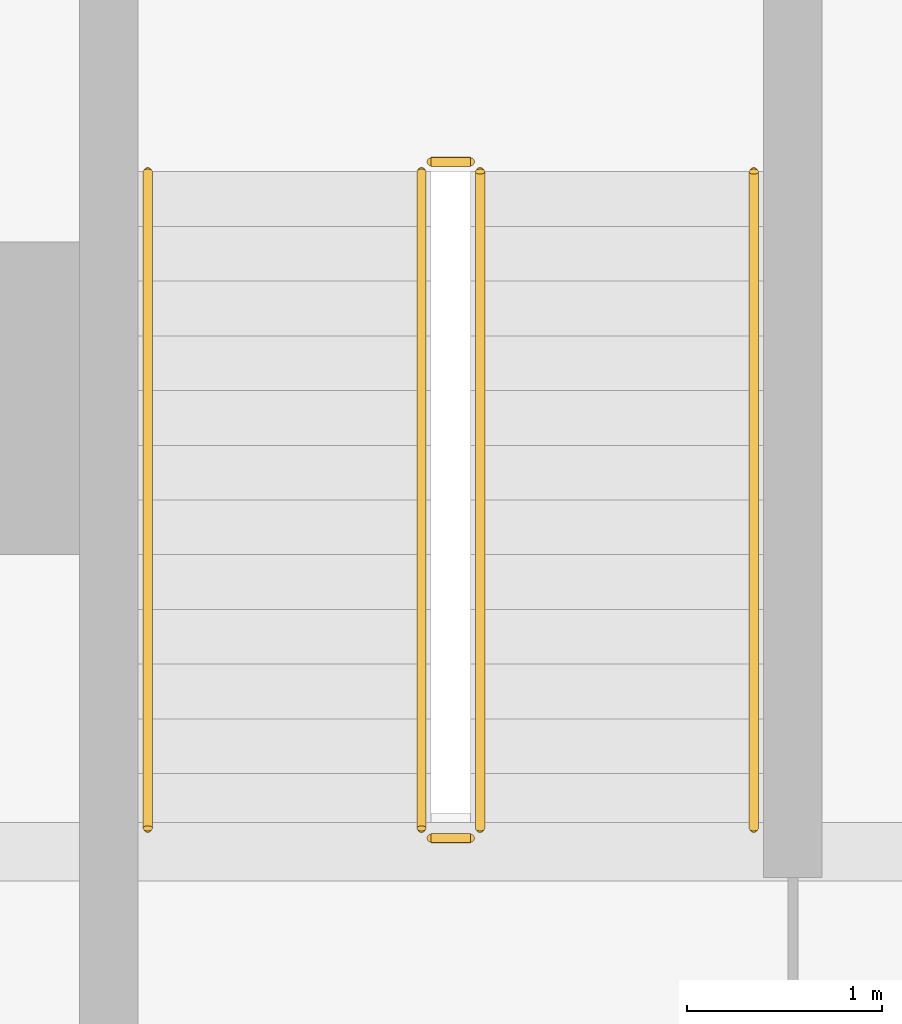
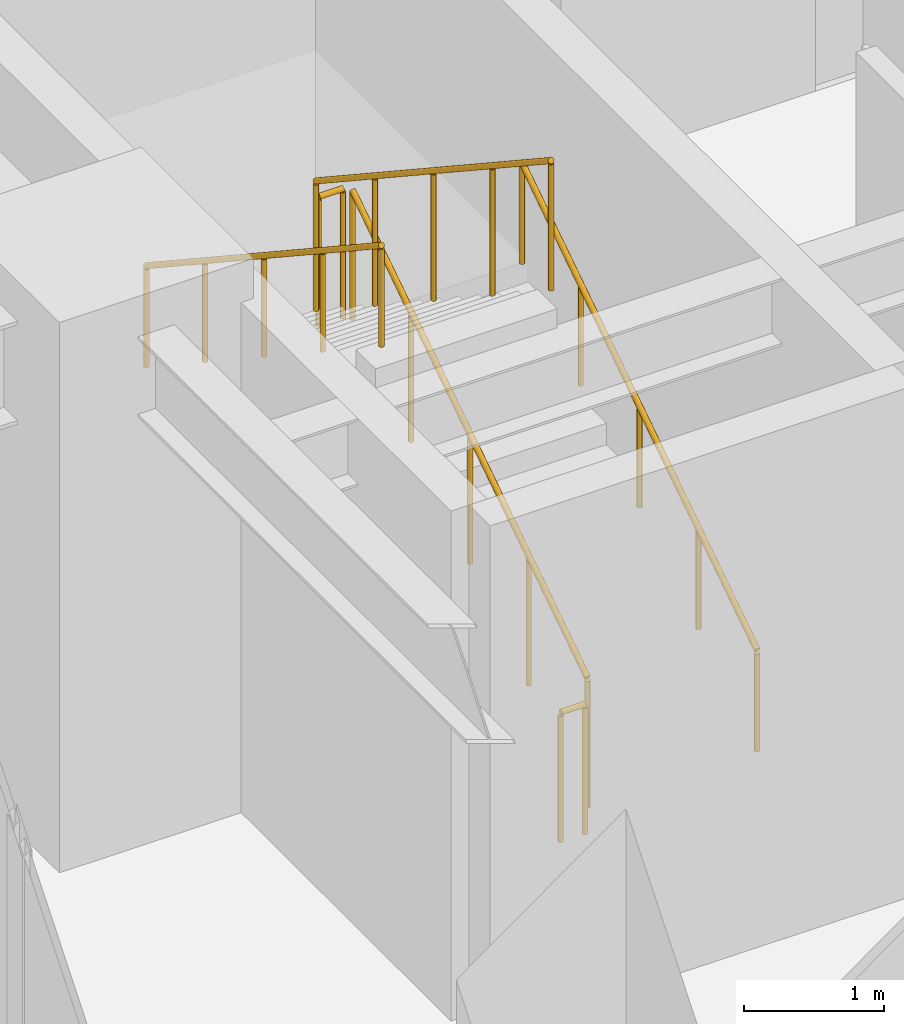
# One storey, part 37 of 39: 6 railings.
"""IFC4 building model written with IfcOpenShell, lengths in metres."""

from ifc_helpers import new_model, si_unit, direction, frame, origin, origin_2d, place, context, subcontext, project, spatial, circle, extrude, source, transform, mapped, material, type_object, type_shapes, element, save


model = new_model("IFC4")

# Units and contexts
model_context = context("Model", 3, precision=1e-05, world=origin(), true_north=direction((0.0, 1.0)))
body_context = subcontext(model_context, "Body", "Model", "MODEL_VIEW")
ifc_project = project(units=[si_unit("LENGTHUNIT", "METRE"), si_unit("AREAUNIT", "SQUARE_METRE"), si_unit("VOLUMEUNIT", "CUBIC_METRE"), si_unit("PLANEANGLEUNIT", "RADIAN"), si_unit("MASSUNIT", "GRAM", prefix="KILO")], contexts=[model_context])

# Site, building, storey
site_placement = place(None, origin())
site = spatial("IfcSite", under=ifc_project, at=site_placement, CompositionType="ELEMENT")
building_placement = place(site_placement, origin())
building = spatial("IfcBuilding", under=site, at=building_placement, Name="Haelvirn Gate Laboratories", CompositionType="ELEMENT")
storey_placement = place(building_placement, frame((0.0, 0.0, 15.0)))
storey = spatial("IfcBuildingStorey", under=building, at=storey_placement, Name="L04", CompositionType="ELEMENT", Elevation=15.0)

# Railings
ifc_material_1 = material(Name="Galvanised steel SM355 & stainless top rail", Category="steel")
railing_type_1 = type_object("IfcRailingType", Name="RL-GUARD-1150", PredefinedType="GUARDRAIL", material=ifc_material_1)
shared_shape_1 = source(origin(), body_context, "Body", "SweptSolid", [
    extrude(circle(Radius=0.02392578125, at=origin_2d()), frame((0.0, 0.0, 1.1259765625), z_axis=(-1.0, 0.0, 0.0), x_axis=(0.0, -1.0, 0.0)), (0.0, 0.0, 1.0), 0.199951171875),
    extrude(circle(Radius=0.02099609375, at=origin_2d()), origin(), (0.0, 0.0, 1.0), 1.101806640625),
    extrude(circle(Radius=0.02099609375, at=origin_2d()), frame((-0.199951171875, 0.0, 0.0)), (0.0, 0.0, 1.0), 1.101806640625),
])
for number, where, name in (
    (1, (55.300048828125, 8.2099609375, 2.39990234375), "L04 ST4 stair guard 2"),
    (2, (55.300048828125, 4.75, 0.0), "L04 ST4 stair guard 4"),
):
    element("IfcRailing", number, at=place(storey_placement, frame(where)), inside=storey, type_object=railing_type_1, Name=name, PredefinedType="GUARDRAIL", context=body_context, shape_type="MappedRepresentation", body=[
        mapped(shared_shape_1, transform((0.0, 0.0, 0.0), scale=1.0)),
    ])
shared_shape_2 = source(origin(), body_context, "Body", "SweptSolid", [
    extrude(circle(Radius=0.02392578125, at=origin_2d()), frame((0.0, 0.0, 1.1259765625), z_axis=(0.0, 0.834858096282, 0.550465220583), x_axis=(-1.0, 0.0, 0.0)), (0.0, 0.0, 1.0), 4.0244140625),
    extrude(circle(Radius=0.02099609375, at=origin_2d()), origin(), (0.0, 0.0, 1.0), 1.101806640625),
    extrude(circle(Radius=0.02099609375, at=origin_2d()), frame((0.0, 0.83984375, 0.5537109375)), (0.0, 0.0, 1.0), 1.101806640625),
    extrude(circle(Radius=0.02099609375, at=origin_2d()), frame((0.0, 1.679931640625, 1.107666015625)), (0.0, 0.0, 1.0), 1.101806640625),
    extrude(circle(Radius=0.02099609375, at=origin_2d()), frame((0.0, 2.52001953125, 1.66162109375)), (0.0, 0.0, 1.0), 1.101806640625),
    extrude(circle(Radius=0.02099609375, at=origin_2d()), frame((0.0, 3.35986328125, 2.21533203125)), (0.0, 0.0, 1.0), 1.101806640625),
])
railing_1_placement = place(storey_placement, frame((55.35009765625, 4.800048828125, 0.1845703125)))
element("IfcRailing", 3, at=railing_1_placement, inside=storey, type_object=railing_type_1, Name="L04 ST4 stair guard 1", PredefinedType="GUARDRAIL", context=body_context, shape_type="MappedRepresentation", body=[
    mapped(shared_shape_2, transform((0.0, 0.0, 0.0), scale=1.0)),
])
shared_shape_3 = source(origin(), body_context, "Body", "SweptSolid", [
    extrude(circle(Radius=0.02392578125, at=origin_2d()), frame((0.0, 0.0, 1.1259765625), z_axis=(0.0, -0.834858096282, 0.550465220583), x_axis=(1.0, 0.0, 0.0)), (0.0, 0.0, 1.0), 4.0244140625),
    extrude(circle(Radius=0.02099609375, at=origin_2d()), origin(), (0.0, 0.0, 1.0), 1.101806640625),
    extrude(circle(Radius=0.02099609375, at=origin_2d()), frame((0.0, -0.83984375, 0.5537109375)), (0.0, 0.0, 1.0), 1.101806640625),
    extrude(circle(Radius=0.02099609375, at=origin_2d()), frame((0.0, -1.679931640625, 1.107666015625)), (0.0, 0.0, 1.0), 1.101806640625),
    extrude(circle(Radius=0.02099609375, at=origin_2d()), frame((0.0, -2.52001953125, 1.66162109375)), (0.0, 0.0, 1.0), 1.101806640625),
    extrude(circle(Radius=0.02099609375, at=origin_2d()), frame((0.0, -3.35986328125, 2.21533203125)), (0.0, 0.0, 1.0), 1.101806640625),
])
type_shapes(railing_type_1, [shared_shape_1, shared_shape_2, shared_shape_3])
railing_2_placement = place(storey_placement, frame((55.050048828125, 8.159912109375, 2.584716796875)))
element("IfcRailing", 4, at=railing_2_placement, inside=storey, type_object=railing_type_1, Name="L04 ST4 stair guard 3", PredefinedType="GUARDRAIL", context=body_context, shape_type="MappedRepresentation", body=[
    mapped(shared_shape_3, transform((0.0, 0.0, 0.0), scale=1.0)),
])
ifc_material_2 = material(Name="Brushed stainless steel 316L", Category="steel")
railing_type_2 = type_object("IfcRailingType", Name="RL-HAND-920", PredefinedType="HANDRAIL", material=ifc_material_2)
shared_shape_4 = source(origin(), body_context, "Body", "SweptSolid", [
    extrude(circle(Radius=0.02392578125, at=origin_2d()), frame((0.0, 0.0, 0.8759765625), z_axis=(0.0, 0.834858096282, 0.550465220583), x_axis=(-1.0, 0.0, 0.0)), (0.0, 0.0, 1.0), 4.0244140625),
    extrude(circle(Radius=0.02099609375, at=origin_2d()), origin(), (0.0, 0.0, 1.0), 0.851806640625),
    extrude(circle(Radius=0.02099609375, at=origin_2d()), frame((0.0, 0.83984375, 0.5537109375)), (0.0, 0.0, 1.0), 0.851806640625),
    extrude(circle(Radius=0.02099609375, at=origin_2d()), frame((0.0, 1.679931640625, 1.107666015625)), (0.0, 0.0, 1.0), 0.851806640625),
    extrude(circle(Radius=0.02099609375, at=origin_2d()), frame((0.0, 2.52001953125, 1.66162109375)), (0.0, 0.0, 1.0), 0.851806640625),
    extrude(circle(Radius=0.02099609375, at=origin_2d()), frame((0.0, 3.35986328125, 2.21533203125)), (0.0, 0.0, 1.0), 0.851806640625),
])
railing_3_placement = place(storey_placement, frame((56.75, 4.800048828125, 0.1845703125)))
element("IfcRailing", 5, at=railing_3_placement, inside=storey, type_object=railing_type_2, Name="L04 ST4 stair handrail 1", PredefinedType="HANDRAIL", context=body_context, shape_type="MappedRepresentation", body=[
    mapped(shared_shape_4, transform((0.0, 0.0, 0.0), scale=1.0)),
])
shared_shape_5 = source(origin(), body_context, "Body", "SweptSolid", [
    extrude(circle(Radius=0.02392578125, at=origin_2d()), frame((0.0, 0.0, 0.8759765625), z_axis=(0.0, -0.834858096282, 0.550465220583), x_axis=(1.0, 0.0, 0.0)), (0.0, 0.0, 1.0), 4.0244140625),
    extrude(circle(Radius=0.02099609375, at=origin_2d()), origin(), (0.0, 0.0, 1.0), 0.851806640625),
    extrude(circle(Radius=0.02099609375, at=origin_2d()), frame((0.0, -0.83984375, 0.5537109375)), (0.0, 0.0, 1.0), 0.851806640625),
    extrude(circle(Radius=0.02099609375, at=origin_2d()), frame((0.0, -1.679931640625, 1.107666015625)), (0.0, 0.0, 1.0), 0.851806640625),
    extrude(circle(Radius=0.02099609375, at=origin_2d()), frame((0.0, -2.52001953125, 1.66162109375)), (0.0, 0.0, 1.0), 0.851806640625),
    extrude(circle(Radius=0.02099609375, at=origin_2d()), frame((0.0, -3.35986328125, 2.21533203125)), (0.0, 0.0, 1.0), 0.851806640625),
])
type_shapes(railing_type_2, [shared_shape_4, shared_shape_5])
railing_4_placement = place(storey_placement, frame((53.64990234375, 8.159912109375, 2.584716796875)))
element("IfcRailing", 6, at=railing_4_placement, inside=storey, type_object=railing_type_2, Name="L04 ST4 stair handrail 2", PredefinedType="HANDRAIL", context=body_context, shape_type="MappedRepresentation", body=[
    mapped(shared_shape_5, transform((0.0, 0.0, 0.0), scale=1.0)),
])

save(model, "model.ifc")
